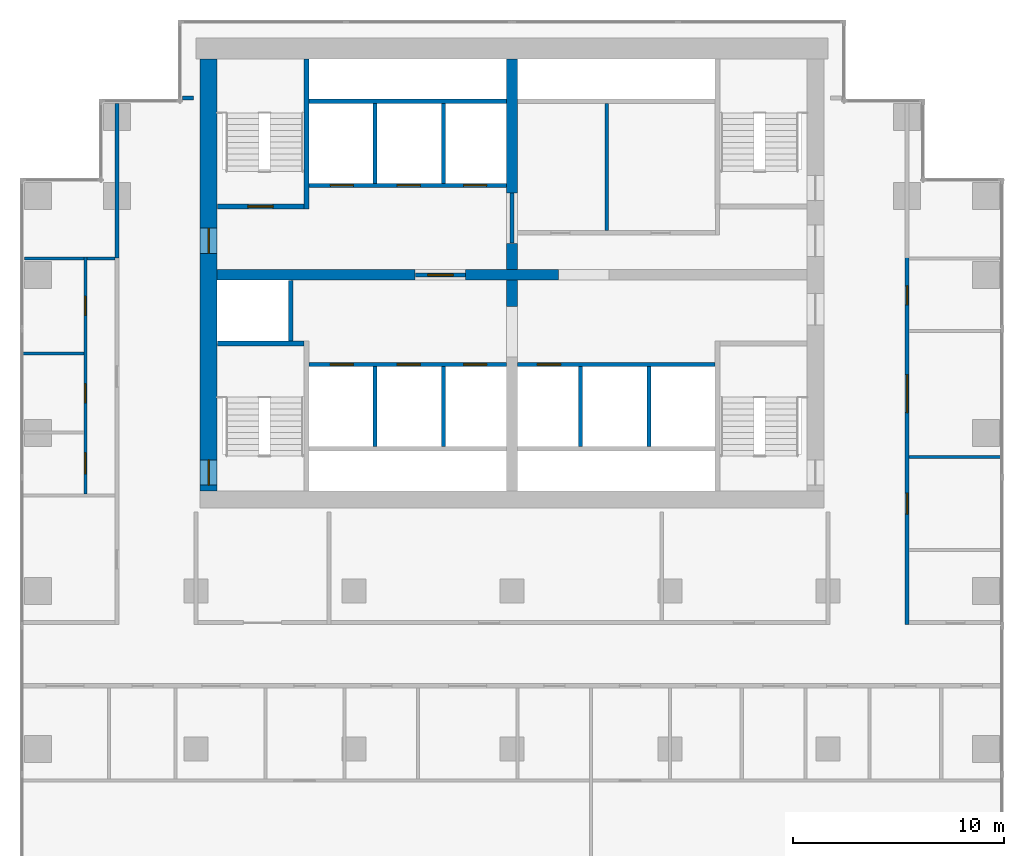
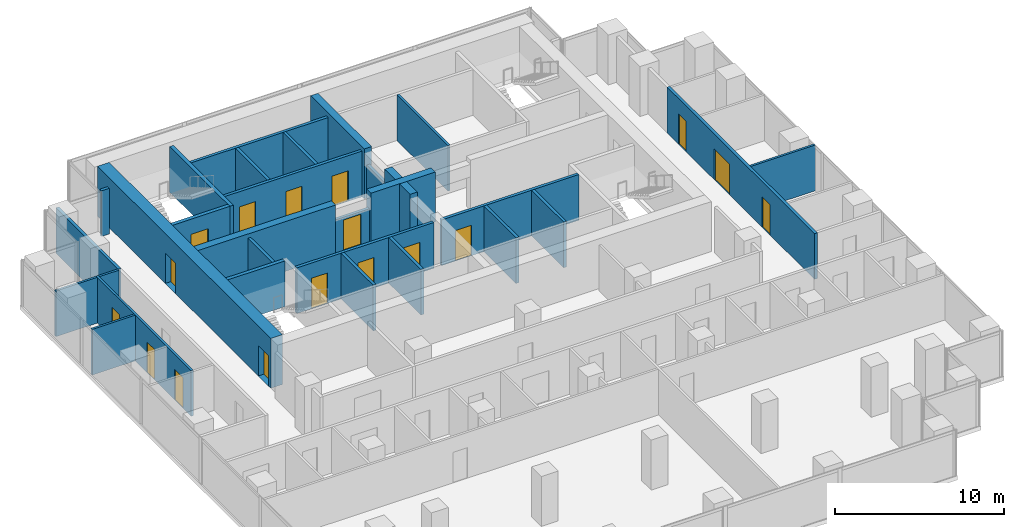
# One storey, part 8 of 10: 31 walls, 17 doors, 17 openings.
"""IFC4 building model written with IfcOpenShell, lengths in metres."""

from ifc_helpers import new_model, si_unit, direction, frame, frame_2d, origin, place, context, subcontext, project, spatial, rectangle, extrude, material, layer, layer_set, type_object, element, fill, save


model = new_model("IFC4")

# Units and contexts
model_context = context("Model", 3, precision=1e-05, world=origin(), true_north=direction((0.0, 1.0)))
body_context = subcontext(model_context, "Body", "Model", "MODEL_VIEW")
ifc_project = project(units=[si_unit("LENGTHUNIT", "METRE"), si_unit("AREAUNIT", "SQUARE_METRE"), si_unit("VOLUMEUNIT", "CUBIC_METRE"), si_unit("PLANEANGLEUNIT", "RADIAN"), si_unit("MASSUNIT", "GRAM", prefix="KILO")], contexts=[model_context])

# Site, building, storey
site_placement = place(None, origin())
site = spatial("IfcSite", under=ifc_project, at=site_placement, CompositionType="ELEMENT")
building_placement = place(site_placement, origin())
building = spatial("IfcBuilding", under=site, at=building_placement, Name="Pilkhan Gate Tower", CompositionType="ELEMENT")
storey_placement = place(building_placement, frame((0.0, 0.0, 107.199951171875)))
storey = spatial("IfcBuildingStorey", under=building, at=storey_placement, Name="L26", CompositionType="ELEMENT", Elevation=107.199951171875)

# Wall, openings, doors
ifc_material_1 = material(Name="Concrete C60/75", Category="concrete")
ifc_layer_1 = layer(ifc_material_1, 0.800048828125)
ifc_layer_set_1 = layer_set([ifc_layer_1], Name="Core wall CW800 C60/75")
wall_type_1 = type_object("IfcWallType", Name="Core wall CW800 C60/75", PredefinedType="SHEAR", material=ifc_layer_set_1)
wall_1_placement = place(storey_placement, frame((60.60009765625, 92.75, 0.0), z_axis=(0.0, 0.0, 1.0), x_axis=(0.0, -1.0, 0.0)))
wall_1 = element("IfcWall", 1, at=wall_1_placement, inside=storey, type_object=wall_type_1, Name="Core wall W L26", PredefinedType="SHEAR", context=body_context, shape_type="SweptSolid", body=[
    extrude(rectangle(XDim=20.5, YDim=0.800048828125, at=frame_2d((10.25, 0.0))), origin(), (0.0, 0.0, 1.0), 3.60009765625),
])
opening_1_placement = place(wall_1_placement, frame((19.02490234375, 0.0, 0.0)))
opening_1 = element("IfcOpeningElement", 2, at=opening_1_placement, cuts=wall_1, Name="Opening L26-04", PredefinedType="OPENING", context=body_context, shape_type="SweptSolid", body=[
    extrude(rectangle(XDim=1.199951171875, YDim=2.199951171875, at=frame_2d((0.60009765625, 1.10009765625))), frame((0.0, 0.409912109375, 0.0), z_axis=(0.0, -1.0, 0.0), x_axis=(1.0, 0.0, 0.0)), (0.0, 0.0, 1.0), 0.820068359375),
])
opening_2_placement = place(wall_1_placement, frame((8.02490234375, 0.0, 0.0)))
opening_2 = element("IfcOpeningElement", 3, at=opening_2_placement, cuts=wall_1, Name="Opening L26-12", PredefinedType="OPENING", context=body_context, shape_type="SweptSolid", body=[
    extrude(rectangle(XDim=1.199951171875, YDim=2.199951171875, at=frame_2d((0.60009765625, 1.10009765625))), frame((0.0, 0.409912109375, 0.0), z_axis=(0.0, -1.0, 0.0), x_axis=(1.0, 0.0, 0.0)), (0.0, 0.0, 1.0), 0.820068359375),
])
ifc_material_2 = material(Name="Steel door, 120 minute fire resisting, self-closing", Category="steel")
door_type_1 = type_object("IfcDoorType", Name="Firefighting lobby door D10 1200x2200", OperationType="SINGLE_SWING_LEFT", PredefinedType="DOOR", material=ifc_material_2)
door_1_placement = place(opening_2_placement, origin())
door_1 = element("IfcDoor", 4, at=door_1_placement, inside=storey, type_object=door_type_1, Name="Core door", OperationType="SINGLE_SWING_LEFT", OverallHeight=2.199951171875, OverallWidth=1.199951171875, PredefinedType="DOOR", context=body_context, shape_type="SweptSolid", body=[
    extrude(rectangle(XDim=1.199951171875, YDim=2.199951171875, at=frame_2d((0.60009765625, 1.10009765625))), frame((0.0, 0.02490234375, 0.0), z_axis=(0.0, -1.0, 0.0), x_axis=(1.0, 0.0, 0.0)), (0.0, 0.0, 1.0), 0.050048828125),
])
fill(opening_2, door_1)
ifc_material_3 = material(Name="Steel door, 120 minute fire resisting, panic bar", Category="steel")
door_type_2 = type_object("IfcDoorType", Name="Stair door D11 1200x2200", OperationType="SINGLE_SWING_LEFT", PredefinedType="DOOR", material=ifc_material_3)
door_2_placement = place(opening_1_placement, origin())
door_2 = element("IfcDoor", 5, at=door_2_placement, inside=storey, type_object=door_type_2, Name="Stair ST2 door", OperationType="SINGLE_SWING_LEFT", OverallHeight=2.199951171875, OverallWidth=1.199951171875, PredefinedType="DOOR", context=body_context, shape_type="SweptSolid", body=[
    extrude(rectangle(XDim=1.199951171875, YDim=2.199951171875, at=frame_2d((0.60009765625, 1.10009765625))), frame((0.0, 0.02490234375, 0.0), z_axis=(0.0, -1.0, 0.0), x_axis=(1.0, 0.0, 0.0)), (0.0, 0.0, 1.0), 0.050048828125),
])
fill(opening_1, door_2)

# Walls
ifc_material_4 = material(Name="Dense blockwork", Category="masonry")
ifc_layer_2 = layer(ifc_material_4, 0.199951171875)
ifc_layer_set_2 = layer_set([ifc_layer_2], Name="Corridor wall FW200")
wall_type_2 = type_object("IfcWallType", Name="Corridor wall FW200", PredefinedType="PARTITIONING", material=ifc_layer_set_2)
wall_2_placement = place(storey_placement, frame((59.35498046875, 90.89990234375, 0.0), z_axis=(0.0, 0.0, 1.0), x_axis=(1.0, 0.0, 0.0)))
element("IfcWall", 6, at=wall_2_placement, inside=storey, type_object=wall_type_2, Name="Partition L26", PredefinedType="PARTITIONING", context=body_context, shape_type="SweptSolid", body=[
    extrude(rectangle(XDim=0.52490234375, YDim=0.199951171875, at=frame_2d((0.262451171875, 0.0))), origin(), (0.0, 0.0, 1.0), 3.300048828125),
])
wall_3_placement = place(storey_placement, frame((56.25, 83.31005859375, 0.0), z_axis=(0.0, 0.0, 1.0), x_axis=(0.0, 1.0, 0.0)))
element("IfcWall", 7, at=wall_3_placement, inside=storey, type_object=wall_type_2, Name="Partition L26", PredefinedType="PARTITIONING", context=body_context, shape_type="SweptSolid", body=[
    extrude(rectangle(XDim=7.3349609375, YDim=0.199951171875, at=frame_2d((3.66748046875, 0.0))), origin(), (0.0, 0.0, 1.0), 3.300048828125),
])

# Wall, openings, doors
wall_4_placement = place(storey_placement, frame((93.75, 65.89990234375, 0.0), z_axis=(0.0, 0.0, 1.0), x_axis=(0.0, 1.0, 0.0)))
wall_4 = element("IfcWall", 8, at=wall_4_placement, inside=storey, type_object=wall_type_2, Name="Partition L26", PredefinedType="PARTITIONING", context=body_context, shape_type="SweptSolid", body=[
    extrude(rectangle(XDim=17.455078125, YDim=0.199951171875, at=frame_2d((8.7275390625, 0.0))), origin(), (0.0, 0.0, 1.0), 3.300048828125),
])
opening_3_placement = place(wall_4_placement, frame((5.2470703125, 0.0, 0.0)))
opening_3 = element("IfcOpeningElement", 9, at=opening_3_placement, cuts=wall_4, Name="Opening L26-32", PredefinedType="OPENING", context=body_context, shape_type="SweptSolid", body=[
    extrude(rectangle(XDim=1.0, YDim=2.199951171875, at=frame_2d((0.5, 1.10009765625))), frame((0.0, 0.10986328125, 0.0), z_axis=(0.0, -1.0, 0.0), x_axis=(1.0, 0.0, 0.0)), (0.0, 0.0, 1.0), 0.219970703125),
])
opening_4_placement = place(wall_4_placement, frame((10.06689453125, 0.0, 0.0)))
opening_4 = element("IfcOpeningElement", 10, at=opening_4_placement, cuts=wall_4, Name="Opening L26-33", PredefinedType="OPENING", context=body_context, shape_type="SweptSolid", body=[
    extrude(rectangle(XDim=1.800048828125, YDim=2.199951171875, at=frame_2d((0.89990234375, 1.10009765625))), frame((0.0, 0.10986328125, 0.0), z_axis=(0.0, -1.0, 0.0), x_axis=(1.0, 0.0, 0.0)), (0.0, 0.0, 1.0), 0.219970703125),
])
opening_5_placement = place(wall_4_placement, frame((15.18310546875, 0.0, 0.0)))
opening_5 = element("IfcOpeningElement", 11, at=opening_5_placement, cuts=wall_4, Name="Opening L26-34", PredefinedType="OPENING", context=body_context, shape_type="SweptSolid", body=[
    extrude(rectangle(XDim=0.89990234375, YDim=2.199951171875, at=frame_2d((0.449951171875, 1.10009765625))), frame((0.0, 0.10986328125, 0.0), z_axis=(0.0, -1.0, 0.0), x_axis=(1.0, 0.0, 0.0)), (0.0, 0.0, 1.0), 0.219970703125),
])
ifc_material_5 = material(Name="Timber glazed double door, 30 minute fire resisting", Category="wood")
door_type_3 = type_object("IfcDoorType", Name="Double door D04 1800x2200", OperationType="DOUBLE_DOOR_SINGLE_SWING", PredefinedType="DOOR", material=ifc_material_5)
door_3_placement = place(opening_4_placement, origin())
door_3 = element("IfcDoor", 12, at=door_3_placement, inside=storey, type_object=door_type_3, Name="Double door", OperationType="DOUBLE_DOOR_SINGLE_SWING", OverallHeight=2.199951171875, OverallWidth=1.800048828125, PredefinedType="DOOR", context=body_context, shape_type="SweptSolid", body=[
    extrude(rectangle(XDim=1.800048828125, YDim=2.199951171875, at=frame_2d((0.89990234375, 1.10009765625))), frame((0.0, 0.02490234375, 0.0), z_axis=(0.0, -1.0, 0.0), x_axis=(1.0, 0.0, 0.0)), (0.0, 0.0, 1.0), 0.050048828125),
])
fill(opening_4, door_3)
ifc_material_6 = material(Name="Timber flush door, 30 minute fire resisting", Category="wood")
door_type_4 = type_object("IfcDoorType", Name="Room door D03 1000x2200", OperationType="SINGLE_SWING_LEFT", PredefinedType="DOOR", material=ifc_material_6)
door_4_placement = place(opening_3_placement, origin())
door_4 = element("IfcDoor", 13, at=door_4_placement, inside=storey, type_object=door_type_4, Name="Room door", OperationType="SINGLE_SWING_LEFT", OverallHeight=2.199951171875, OverallWidth=1.0, PredefinedType="DOOR", context=body_context, shape_type="SweptSolid", body=[
    extrude(rectangle(XDim=1.0, YDim=2.199951171875, at=frame_2d((0.5, 1.10009765625))), frame((0.0, 0.02490234375, 0.0), z_axis=(0.0, -1.0, 0.0), x_axis=(1.0, 0.0, 0.0)), (0.0, 0.0, 1.0), 0.050048828125),
])
fill(opening_3, door_4)
ifc_material_7 = material(Name="Timber flush door, 60 minute fire resisting, self-closing", Category="wood")
door_type_5 = type_object("IfcDoorType", Name="Store door D05 900x2200", OperationType="SINGLE_SWING_LEFT", PredefinedType="DOOR", material=ifc_material_7)
door_5_placement = place(opening_5_placement, origin())
door_5 = element("IfcDoor", 14, at=door_5_placement, inside=storey, type_object=door_type_5, Name="Store door", OperationType="SINGLE_SWING_LEFT", OverallHeight=2.199951171875, OverallWidth=0.89990234375, PredefinedType="DOOR", context=body_context, shape_type="SweptSolid", body=[
    extrude(rectangle(XDim=0.89990234375, YDim=2.199951171875, at=frame_2d((0.449951171875, 1.10009765625))), frame((0.0, 0.02490234375, 0.0), z_axis=(0.0, -1.0, 0.0), x_axis=(1.0, 0.0, 0.0)), (0.0, 0.0, 1.0), 0.050048828125),
])
fill(opening_5, door_5)

# Wall, opening, door
ifc_layer_3 = layer(ifc_material_4, 0.199951171875)
ifc_layer_set_3 = layer_set([ifc_layer_3], Name="Lobby wall LW200")
wall_type_3 = type_object("IfcWallType", Name="Lobby wall LW200", PredefinedType="PARTITIONING", material=ifc_layer_set_3)
wall_5_placement = place(storey_placement, frame((70.409912109375, 82.5, 0.0), z_axis=(0.0, 0.0, 1.0), x_axis=(1.0, 0.0, 0.0)))
wall_5 = element("IfcWall", 15, at=wall_5_placement, inside=storey, type_object=wall_type_3, Name="Partition L26", PredefinedType="PARTITIONING", context=body_context, shape_type="SweptSolid", body=[
    extrude(rectangle(XDim=2.380126953125, YDim=0.199951171875, at=frame_2d((1.18994140625, 0.0))), origin(), (0.0, 0.0, 1.0), 2.400146484375),
])
opening_6_placement = place(wall_5_placement, frame((0.60009765625, 0.0, 0.0)))
opening_6 = element("IfcOpeningElement", 16, at=opening_6_placement, cuts=wall_5, Name="Opening L26-01", PredefinedType="OPENING", context=body_context, shape_type="SweptSolid", body=[
    extrude(rectangle(XDim=1.199951171875, YDim=2.199951171875, at=frame_2d((0.60009765625, 1.10009765625))), frame((0.0, 0.10986328125, 0.0), z_axis=(0.0, -1.0, 0.0), x_axis=(1.0, 0.0, 0.0)), (0.0, 0.0, 1.0), 0.219970703125),
])
door_6_placement = place(opening_6_placement, origin())
door_6 = element("IfcDoor", 17, at=door_6_placement, inside=storey, type_object=door_type_1, Name="Firefighting lobby door", OperationType="SINGLE_SWING_LEFT", OverallHeight=2.199951171875, OverallWidth=1.199951171875, PredefinedType="DOOR", context=body_context, shape_type="SweptSolid", body=[
    extrude(rectangle(XDim=1.199951171875, YDim=2.199951171875, at=frame_2d((0.60009765625, 1.10009765625))), frame((0.0, 0.02490234375, 0.0), z_axis=(0.0, -1.0, 0.0), x_axis=(1.0, 0.0, 0.0)), (0.0, 0.0, 1.0), 0.050048828125),
])
fill(opening_6, door_6)

# Walls
wall_6_placement = place(storey_placement, frame((75.0, 84.010009765625, 0.0), z_axis=(0.0, 0.0, 1.0), x_axis=(0.0, 1.0, 0.0)))
element("IfcWall", 18, at=wall_6_placement, inside=storey, type_object=wall_type_3, Name="Partition L26", PredefinedType="PARTITIONING", context=body_context, shape_type="SweptSolid", body=[
    extrude(rectangle(XDim=2.3798828125, YDim=0.199951171875, at=frame_2d((1.18994140625, 0.0))), origin(), (0.0, 0.0, 1.0), 2.400146484375),
])
ifc_material_8 = material(Name="Blockwork partition, plastered both sides", Category="masonry")
ifc_layer_4 = layer(ifc_material_8, 0.14990234375)
ifc_layer_set_4 = layer_set([ifc_layer_4], Name="Partition PW150")
wall_type_4 = type_object("IfcWallType", Name="Partition PW150", PredefinedType="PARTITIONING", material=ifc_layer_set_4)
wall_7_placement = place(storey_placement, frame((93.85009765625, 73.866943359375, 0.0), z_axis=(0.0, 0.0, 1.0), x_axis=(1.0, 0.0, 0.0)))
element("IfcWall", 19, at=wall_7_placement, inside=storey, type_object=wall_type_4, Name="Partition L26", PredefinedType="PARTITIONING", context=body_context, shape_type="SweptSolid", body=[
    extrude(rectangle(XDim=4.414794921875, YDim=0.14990234375, at=frame_2d((2.20751953125, 0.0))), origin(), (0.0, 0.0, 1.0), 3.300048828125),
])
wall_8_placement = place(storey_placement, frame((51.735107421875, 78.780029296875, 0.0), z_axis=(0.0, 0.0, 1.0), x_axis=(1.0, 0.0, 0.0)))
element("IfcWall", 20, at=wall_8_placement, inside=storey, type_object=wall_type_4, Name="Partition L26", PredefinedType="PARTITIONING", context=body_context, shape_type="SweptSolid", body=[
    extrude(rectangle(XDim=2.93994140625, YDim=0.14990234375, at=frame_2d((1.469970703125, 0.0))), origin(), (0.0, 0.0, 1.0), 3.300048828125),
])
wall_9_placement = place(storey_placement, frame((51.85498046875, 83.280029296875, 0.0), z_axis=(0.0, 0.0, 1.0), x_axis=(1.0, 0.0, 0.0)))
element("IfcWall", 21, at=wall_9_placement, inside=storey, type_object=wall_type_4, Name="Partition L26", PredefinedType="PARTITIONING", context=body_context, shape_type="SweptSolid", body=[
    extrude(rectangle(XDim=2.820068359375, YDim=0.14990234375, at=frame_2d((1.41015625, 0.0))), origin(), (0.0, 0.0, 1.0), 3.300048828125),
])
wall_10_placement = place(storey_placement, frame((54.824951171875, 83.280029296875, 0.0), z_axis=(0.0, 0.0, 1.0), x_axis=(1.0, 0.0, 0.0)))
element("IfcWall", 22, at=wall_10_placement, inside=storey, type_object=wall_type_4, Name="Partition L26", PredefinedType="PARTITIONING", context=body_context, shape_type="SweptSolid", body=[
    extrude(rectangle(XDim=1.324951171875, YDim=0.14990234375, at=frame_2d((0.66259765625, 0.0))), origin(), (0.0, 0.0, 1.0), 3.300048828125),
])

# Wall, openings, doors
wall_11_placement = place(storey_placement, frame((54.75, 72.10498046875, 0.0), z_axis=(0.0, 0.0, 1.0), x_axis=(0.0, 1.0, 0.0)))
wall_11 = element("IfcWall", 23, at=wall_11_placement, inside=storey, type_object=wall_type_4, Name="Partition L26", PredefinedType="PARTITIONING", context=body_context, shape_type="SweptSolid", body=[
    extrude(rectangle(XDim=11.25, YDim=0.14990234375, at=frame_2d((5.625, 0.0))), origin(), (0.0, 0.0, 1.0), 3.300048828125),
])
opening_7_placement = place(wall_11_placement, frame((0.949951171875, 0.0, 0.0)))
opening_7 = element("IfcOpeningElement", 24, at=opening_7_placement, cuts=wall_11, Name="Opening L26-27", PredefinedType="OPENING", context=body_context, shape_type="SweptSolid", body=[
    extrude(rectangle(XDim=1.0, YDim=2.199951171875, at=frame_2d((0.5, 1.10009765625))), frame((0.0, 0.0849609375, 0.0), z_axis=(0.0, -1.0, 0.0), x_axis=(1.0, 0.0, 0.0)), (0.0, 0.0, 1.0), 0.169921875),
])
opening_8_placement = place(wall_11_placement, frame((4.324951171875, 0.0, 0.0)))
opening_8 = element("IfcOpeningElement", 25, at=opening_8_placement, cuts=wall_11, Name="Opening L26-28", PredefinedType="OPENING", context=body_context, shape_type="SweptSolid", body=[
    extrude(rectangle(XDim=0.89990234375, YDim=2.199951171875, at=frame_2d((0.449951171875, 1.10009765625))), frame((0.0, 0.0849609375, 0.0), z_axis=(0.0, -1.0, 0.0), x_axis=(1.0, 0.0, 0.0)), (0.0, 0.0, 1.0), 0.169921875),
])
opening_9_placement = place(wall_11_placement, frame((8.47509765625, 0.0, 0.0)))
opening_9 = element("IfcOpeningElement", 26, at=opening_9_placement, cuts=wall_11, Name="Opening L26-29", PredefinedType="OPENING", context=body_context, shape_type="SweptSolid", body=[
    extrude(rectangle(XDim=0.89990234375, YDim=2.199951171875, at=frame_2d((0.449951171875, 1.10009765625))), frame((0.0, 0.0849609375, 0.0), z_axis=(0.0, -1.0, 0.0), x_axis=(1.0, 0.0, 0.0)), (0.0, 0.0, 1.0), 0.169921875),
])
ifc_material_9 = material(Name="Timber flush door, outward opening, 30 minute fire resisting", Category="wood")
door_type_6 = type_object("IfcDoorType", Name="Accessible toilet door D07 1000x2200", OperationType="SINGLE_SWING_LEFT", PredefinedType="DOOR", material=ifc_material_9)
door_7_placement = place(opening_7_placement, origin())
door_7 = element("IfcDoor", 27, at=door_7_placement, inside=storey, type_object=door_type_6, Name="Accessible toilet door", OperationType="SINGLE_SWING_LEFT", OverallHeight=2.199951171875, OverallWidth=1.0, PredefinedType="DOOR", context=body_context, shape_type="SweptSolid", body=[
    extrude(rectangle(XDim=1.0, YDim=2.199951171875, at=frame_2d((0.5, 1.10009765625))), frame((0.0, 0.02490234375, 0.0), z_axis=(0.0, -1.0, 0.0), x_axis=(1.0, 0.0, 0.0)), (0.0, 0.0, 1.0), 0.050048828125),
])
fill(opening_7, door_7)
door_type_7 = type_object("IfcDoorType", Name="Toilet door D06 900x2200", OperationType="SINGLE_SWING_LEFT", PredefinedType="DOOR", material=ifc_material_6)
door_8_placement = place(opening_8_placement, origin())
door_8 = element("IfcDoor", 28, at=door_8_placement, inside=storey, type_object=door_type_7, Name="Toilet door", OperationType="SINGLE_SWING_RIGHT", OverallHeight=2.199951171875, OverallWidth=0.89990234375, PredefinedType="DOOR", context=body_context, shape_type="SweptSolid", body=[
    extrude(rectangle(XDim=0.89990234375, YDim=2.199951171875, at=frame_2d((0.449951171875, 1.10009765625))), frame((0.0, 0.02490234375, 0.0), z_axis=(0.0, -1.0, 0.0), x_axis=(1.0, 0.0, 0.0)), (0.0, 0.0, 1.0), 0.050048828125),
])
fill(opening_8, door_8)
door_9_placement = place(opening_9_placement, origin())
door_9 = element("IfcDoor", 29, at=door_9_placement, inside=storey, type_object=door_type_7, Name="Toilet door", OperationType="SINGLE_SWING_RIGHT", OverallHeight=2.199951171875, OverallWidth=0.89990234375, PredefinedType="DOOR", context=body_context, shape_type="SweptSolid", body=[
    extrude(rectangle(XDim=0.89990234375, YDim=2.199951171875, at=frame_2d((0.449951171875, 1.10009765625))), frame((0.0, 0.02490234375, 0.0), z_axis=(0.0, -1.0, 0.0), x_axis=(1.0, 0.0, 0.0)), (0.0, 0.0, 1.0), 0.050048828125),
])
fill(opening_9, door_9)

# Wall
wall_12_placement = place(storey_placement, frame((79.5, 84.60009765625, 0.0), z_axis=(0.0, 0.0, 1.0), x_axis=(0.0, 1.0, 0.0)))
element("IfcWall", 30, at=wall_12_placement, inside=storey, type_object=wall_type_4, Name="Partition L26", PredefinedType="PARTITIONING", context=body_context, shape_type="SweptSolid", body=[
    extrude(rectangle(XDim=6.0498046875, YDim=0.14990234375, at=frame_2d((3.02490234375, 0.0))), origin(), (0.0, 0.0, 1.0), 3.300048828125),
])

# Wall, openings, doors
ifc_material_10 = material(Name="Reinforced blockwork shaft wall, 120 minute fire resisting", Category="masonry")
ifc_layer_5 = layer(ifc_material_10, 0.199951171875)
ifc_layer_set_5 = layer_set([ifc_layer_5], Name="Shaft wall SW200")
wall_type_5 = type_object("IfcWallType", Name="Shaft wall SW200", PredefinedType="PARTITIONING", material=ifc_layer_set_5)
wall_13_placement = place(storey_placement, frame((65.375, 78.25, 0.0), z_axis=(0.0, 0.0, 1.0), x_axis=(1.0, 0.0, 0.0)))
wall_13 = element("IfcWall", 31, at=wall_13_placement, inside=storey, type_object=wall_type_5, Name="Partition L26", PredefinedType="PARTITIONING", context=body_context, shape_type="SweptSolid", body=[
    extrude(rectangle(XDim=9.364990234375, YDim=0.199951171875, at=frame_2d((4.6826171875, 0.0))), origin(), (0.0, 0.0, 1.0), 3.300048828125),
])
opening_10_placement = place(wall_13_placement, frame((1.0, 0.0, 0.0)))
opening_10 = element("IfcOpeningElement", 32, at=opening_10_placement, cuts=wall_13, Name="Opening LD", PredefinedType="OPENING", context=body_context, shape_type="SweptSolid", body=[
    extrude(rectangle(XDim=1.10009765625, YDim=2.199951171875, at=frame_2d((0.550048828125, 1.10009765625))), frame((0.0, 0.10986328125, 0.0), z_axis=(0.0, -1.0, 0.0), x_axis=(1.0, 0.0, 0.0)), (0.0, 0.0, 1.0), 0.219970703125),
])
opening_11_placement = place(wall_13_placement, frame((4.175048828125, 0.0, 0.0)))
opening_11 = element("IfcOpeningElement", 33, at=opening_11_placement, cuts=wall_13, Name="Opening LD", PredefinedType="OPENING", context=body_context, shape_type="SweptSolid", body=[
    extrude(rectangle(XDim=1.10009765625, YDim=2.199951171875, at=frame_2d((0.550048828125, 1.10009765625))), frame((0.0, 0.10986328125, 0.0), z_axis=(0.0, -1.0, 0.0), x_axis=(1.0, 0.0, 0.0)), (0.0, 0.0, 1.0), 0.219970703125),
])
opening_12_placement = place(wall_13_placement, frame((7.324951171875, 0.0, 0.0)))
opening_12 = element("IfcOpeningElement", 34, at=opening_12_placement, cuts=wall_13, Name="Opening LD", PredefinedType="OPENING", context=body_context, shape_type="SweptSolid", body=[
    extrude(rectangle(XDim=1.10009765625, YDim=2.199951171875, at=frame_2d((0.550048828125, 1.10009765625))), frame((0.0, 0.10986328125, 0.0), z_axis=(0.0, -1.0, 0.0), x_axis=(1.0, 0.0, 0.0)), (0.0, 0.0, 1.0), 0.219970703125),
])
ifc_material_11 = material(Name="Stainless steel centre-opening landing door, 120 minute fire resisting", Category="steel")
door_type_8 = type_object("IfcDoorType", Name="Lift landing door LD 1100x2200", OperationType="DOUBLE_DOOR_SLIDING", PredefinedType="DOOR", material=ifc_material_11)
door_10_placement = place(opening_10_placement, origin())
door_10 = element("IfcDoor", 35, at=door_10_placement, inside=storey, type_object=door_type_8, Name="Landing door LR1", OperationType="DOUBLE_DOOR_SLIDING", OverallHeight=2.199951171875, OverallWidth=1.10009765625, PredefinedType="DOOR", context=body_context, shape_type="SweptSolid", body=[
    extrude(rectangle(XDim=1.10009765625, YDim=2.199951171875, at=frame_2d((0.550048828125, 1.10009765625))), frame((0.0, 0.02490234375, 0.0), z_axis=(0.0, -1.0, 0.0), x_axis=(1.0, 0.0, 0.0)), (0.0, 0.0, 1.0), 0.050048828125),
])
fill(opening_10, door_10)
door_11_placement = place(opening_11_placement, origin())
door_11 = element("IfcDoor", 36, at=door_11_placement, inside=storey, type_object=door_type_8, Name="Landing door LR2", OperationType="DOUBLE_DOOR_SLIDING", OverallHeight=2.199951171875, OverallWidth=1.10009765625, PredefinedType="DOOR", context=body_context, shape_type="SweptSolid", body=[
    extrude(rectangle(XDim=1.10009765625, YDim=2.199951171875, at=frame_2d((0.550048828125, 1.10009765625))), frame((0.0, 0.02490234375, 0.0), z_axis=(0.0, -1.0, 0.0), x_axis=(1.0, 0.0, 0.0)), (0.0, 0.0, 1.0), 0.050048828125),
])
fill(opening_11, door_11)
door_12_placement = place(opening_12_placement, origin())
door_12 = element("IfcDoor", 37, at=door_12_placement, inside=storey, type_object=door_type_8, Name="Landing door LR3", OperationType="DOUBLE_DOOR_SLIDING", OverallHeight=2.199951171875, OverallWidth=1.10009765625, PredefinedType="DOOR", context=body_context, shape_type="SweptSolid", body=[
    extrude(rectangle(XDim=1.10009765625, YDim=2.199951171875, at=frame_2d((0.550048828125, 1.10009765625))), frame((0.0, 0.02490234375, 0.0), z_axis=(0.0, -1.0, 0.0), x_axis=(1.0, 0.0, 0.0)), (0.0, 0.0, 1.0), 0.050048828125),
])
fill(opening_12, door_12)

# Wall, opening, door
wall_14_placement = place(storey_placement, frame((75.260009765625, 78.25, 0.0), z_axis=(0.0, 0.0, 1.0), x_axis=(1.0, 0.0, 0.0)))
wall_14 = element("IfcWall", 38, at=wall_14_placement, inside=storey, type_object=wall_type_5, Name="Partition L26", PredefinedType="PARTITIONING", context=body_context, shape_type="SweptSolid", body=[
    extrude(rectangle(XDim=9.364990234375, YDim=0.199951171875, at=frame_2d((4.6826171875, 0.0))), origin(), (0.0, 0.0, 1.0), 3.300048828125),
])
opening_13_placement = place(wall_14_placement, frame((0.949951171875, 0.0, 0.0)))
opening_13 = element("IfcOpeningElement", 39, at=opening_13_placement, cuts=wall_14, Name="Opening LD", PredefinedType="OPENING", context=body_context, shape_type="SweptSolid", body=[
    extrude(rectangle(XDim=1.10009765625, YDim=2.199951171875, at=frame_2d((0.550048828125, 1.10009765625))), frame((0.0, 0.10986328125, 0.0), z_axis=(0.0, -1.0, 0.0), x_axis=(1.0, 0.0, 0.0)), (0.0, 0.0, 1.0), 0.219970703125),
])
door_13_placement = place(opening_13_placement, origin())
door_13 = element("IfcDoor", 40, at=door_13_placement, inside=storey, type_object=door_type_8, Name="Landing door LR4", OperationType="DOUBLE_DOOR_SLIDING", OverallHeight=2.199951171875, OverallWidth=1.10009765625, PredefinedType="DOOR", context=body_context, shape_type="SweptSolid", body=[
    extrude(rectangle(XDim=1.10009765625, YDim=2.199951171875, at=frame_2d((0.550048828125, 1.10009765625))), frame((0.0, 0.02490234375, 0.0), z_axis=(0.0, -1.0, 0.0), x_axis=(1.0, 0.0, 0.0)), (0.0, 0.0, 1.0), 0.050048828125),
])
fill(opening_13, door_13)

# Wall, openings, doors
wall_15_placement = place(storey_placement, frame((65.375, 86.75, 0.0), z_axis=(0.0, 0.0, 1.0), x_axis=(1.0, 0.0, 0.0)))
wall_15 = element("IfcWall", 41, at=wall_15_placement, inside=storey, type_object=wall_type_5, Name="Partition L26", PredefinedType="PARTITIONING", context=body_context, shape_type="SweptSolid", body=[
    extrude(rectangle(XDim=9.364990234375, YDim=0.199951171875, at=frame_2d((4.6826171875, 0.0))), origin(), (0.0, 0.0, 1.0), 3.300048828125),
])
opening_14_placement = place(wall_15_placement, frame((1.0, 0.0, 0.0)))
opening_14 = element("IfcOpeningElement", 42, at=opening_14_placement, cuts=wall_15, Name="Opening LD", PredefinedType="OPENING", context=body_context, shape_type="SweptSolid", body=[
    extrude(rectangle(XDim=1.10009765625, YDim=2.199951171875, at=frame_2d((0.550048828125, 1.10009765625))), frame((0.0, 0.10986328125, 0.0), z_axis=(0.0, -1.0, 0.0), x_axis=(1.0, 0.0, 0.0)), (0.0, 0.0, 1.0), 0.219970703125),
])
opening_15_placement = place(wall_15_placement, frame((4.175048828125, 0.0, 0.0)))
opening_15 = element("IfcOpeningElement", 43, at=opening_15_placement, cuts=wall_15, Name="Opening LD", PredefinedType="OPENING", context=body_context, shape_type="SweptSolid", body=[
    extrude(rectangle(XDim=1.10009765625, YDim=2.199951171875, at=frame_2d((0.550048828125, 1.10009765625))), frame((0.0, 0.10986328125, 0.0), z_axis=(0.0, -1.0, 0.0), x_axis=(1.0, 0.0, 0.0)), (0.0, 0.0, 1.0), 0.219970703125),
])
opening_16_placement = place(wall_15_placement, frame((7.324951171875, 0.0, 0.0)))
opening_16 = element("IfcOpeningElement", 44, at=opening_16_placement, cuts=wall_15, Name="Opening LD", PredefinedType="OPENING", context=body_context, shape_type="SweptSolid", body=[
    extrude(rectangle(XDim=1.10009765625, YDim=2.199951171875, at=frame_2d((0.550048828125, 1.10009765625))), frame((0.0, 0.10986328125, 0.0), z_axis=(0.0, -1.0, 0.0), x_axis=(1.0, 0.0, 0.0)), (0.0, 0.0, 1.0), 0.219970703125),
])
door_14_placement = place(opening_14_placement, origin())
door_14 = element("IfcDoor", 45, at=door_14_placement, inside=storey, type_object=door_type_8, Name="Landing door FF1", OperationType="DOUBLE_DOOR_SLIDING", OverallHeight=2.199951171875, OverallWidth=1.10009765625, PredefinedType="DOOR", context=body_context, shape_type="SweptSolid", body=[
    extrude(rectangle(XDim=1.10009765625, YDim=2.199951171875, at=frame_2d((0.550048828125, 1.10009765625))), frame((0.0, 0.02490234375, 0.0), z_axis=(0.0, -1.0, 0.0), x_axis=(1.0, 0.0, 0.0)), (0.0, 0.0, 1.0), 0.050048828125),
])
fill(opening_14, door_14)
door_15_placement = place(opening_15_placement, origin())
door_15 = element("IfcDoor", 46, at=door_15_placement, inside=storey, type_object=door_type_8, Name="Landing door FF2", OperationType="DOUBLE_DOOR_SLIDING", OverallHeight=2.199951171875, OverallWidth=1.10009765625, PredefinedType="DOOR", context=body_context, shape_type="SweptSolid", body=[
    extrude(rectangle(XDim=1.10009765625, YDim=2.199951171875, at=frame_2d((0.550048828125, 1.10009765625))), frame((0.0, 0.02490234375, 0.0), z_axis=(0.0, -1.0, 0.0), x_axis=(1.0, 0.0, 0.0)), (0.0, 0.0, 1.0), 0.050048828125),
])
fill(opening_15, door_15)
door_16_placement = place(opening_16_placement, origin())
door_16 = element("IfcDoor", 47, at=door_16_placement, inside=storey, type_object=door_type_8, Name="Landing door SV1", OperationType="DOUBLE_DOOR_SLIDING", OverallHeight=2.199951171875, OverallWidth=1.10009765625, PredefinedType="DOOR", context=body_context, shape_type="SweptSolid", body=[
    extrude(rectangle(XDim=1.10009765625, YDim=2.199951171875, at=frame_2d((0.550048828125, 1.10009765625))), frame((0.0, 0.02490234375, 0.0), z_axis=(0.0, -1.0, 0.0), x_axis=(1.0, 0.0, 0.0)), (0.0, 0.0, 1.0), 0.050048828125),
])
fill(opening_16, door_16)

# Walls
wall_16_placement = place(storey_placement, frame((65.375, 90.75, 0.0), z_axis=(0.0, 0.0, 1.0), x_axis=(1.0, 0.0, 0.0)))
element("IfcWall", 48, at=wall_16_placement, inside=storey, type_object=wall_type_5, Name="Partition L26", PredefinedType="PARTITIONING", context=body_context, shape_type="SweptSolid", body=[
    extrude(rectangle(XDim=9.364990234375, YDim=0.199951171875, at=frame_2d((4.6826171875, 0.0))), origin(), (0.0, 0.0, 1.0), 3.300048828125),
])
wall_17_placement = place(storey_placement, frame((64.5, 79.375, 0.0), z_axis=(0.0, 0.0, 1.0), x_axis=(0.0, 1.0, 0.0)))
element("IfcWall", 49, at=wall_17_placement, inside=storey, type_object=wall_type_5, Name="Partition L26", PredefinedType="PARTITIONING", context=body_context, shape_type="SweptSolid", body=[
    extrude(rectangle(XDim=2.864990234375, YDim=0.199951171875, at=frame_2d((1.4326171875, 0.0))), origin(), (0.0, 0.0, 1.0), 3.300048828125),
])
for number, where, z_axis, x_axis, name in (
    (50, (68.5, 74.35009765625, 0.0), (0.0, 0.0, 1.0), (0.0, 1.0, 0.0), "Partition L26"),
    (51, (68.5, 86.85009765625, 0.0), (0.0, 0.0, 1.0), (0.0, 1.0, 0.0), "Partition L26"),
    (52, (71.75, 74.35009765625, 0.0), (0.0, 0.0, 1.0), (0.0, 1.0, 0.0), "Partition L26"),
    (53, (71.75, 86.85009765625, 0.0), (0.0, 0.0, 1.0), (0.0, 1.0, 0.0), "Partition L26"),
    (54, (78.25, 74.35009765625, 0.0), (0.0, 0.0, 1.0), (0.0, 1.0, 0.0), "Partition L26"),
    (55, (81.5, 74.35009765625, 0.0), (0.0, 0.0, 1.0), (0.0, 1.0, 0.0), "Partition L26"),
):
    element("IfcWall", number, at=place(storey_placement, frame(where, z_axis=z_axis, x_axis=x_axis)), inside=storey, type_object=wall_type_5, Name=name, PredefinedType="PARTITIONING", context=body_context, shape_type="SweptSolid", body=[
        extrude(rectangle(XDim=3.7998046875, YDim=0.199951171875, at=frame_2d((1.89990234375, 0.0))), origin(), (0.0, 0.0, 1.0), 3.300048828125),
    ])
ifc_layer_6 = layer(ifc_material_1, 0.5)
ifc_layer_set_6 = layer_set([ifc_layer_6], Name="Spine wall SW500 C60/75")
wall_type_6 = type_object("IfcWallType", Name="Spine wall SW500 C60/75", PredefinedType="SHEAR", material=ifc_layer_set_6)
wall_18_placement = place(storey_placement, frame((61.0, 82.5, 0.0), z_axis=(0.0, 0.0, 1.0), x_axis=(1.0, 0.0, 0.0)))
element("IfcWall", 56, at=wall_18_placement, inside=storey, type_object=wall_type_6, Name="Spine wall SP-EW1 L26", PredefinedType="SHEAR", context=body_context, shape_type="SweptSolid", body=[
    extrude(rectangle(XDim=9.39990234375, YDim=0.5, at=frame_2d((4.699951171875, 0.0))), origin(), (0.0, 0.0, 1.0), 3.60009765625),
])
wall_19_placement = place(storey_placement, frame((72.800048828125, 82.5, 0.0), z_axis=(0.0, 0.0, 1.0), x_axis=(1.0, 0.0, 0.0)))
element("IfcWall", 57, at=wall_19_placement, inside=storey, type_object=wall_type_6, Name="Spine wall SP-EW2 L26", PredefinedType="SHEAR", context=body_context, shape_type="SweptSolid", body=[
    extrude(rectangle(XDim=4.39990234375, YDim=0.5, at=frame_2d((2.199951171875, 0.0))), origin(), (0.0, 0.0, 1.0), 3.60009765625),
])
for number, where, z_axis, x_axis, name in (
    (58, (75.0, 81.0, 0.0), (0.0, 0.0, 1.0), (0.0, 1.0, 0.0), "Spine wall SP-NS-S2 L26"),
    (59, (75.0, 82.75, 0.0), (0.0, 0.0, 1.0), (0.0, 1.0, 0.0), "Spine wall SP-NS-N1 L26"),
):
    element("IfcWall", number, at=place(storey_placement, frame(where, z_axis=z_axis, x_axis=x_axis)), inside=storey, type_object=wall_type_6, Name=name, PredefinedType="SHEAR", context=body_context, shape_type="SweptSolid", body=[
        extrude(rectangle(XDim=1.25, YDim=0.5, at=frame_2d((0.625, 0.0))), origin(), (0.0, 0.0, 1.0), 3.60009765625),
    ])
wall_20_placement = place(storey_placement, frame((75.0, 86.39990234375, 0.0), z_axis=(0.0, 0.0, 1.0), x_axis=(0.0, 1.0, 0.0)))
element("IfcWall", 60, at=wall_20_placement, inside=storey, type_object=wall_type_6, Name="Spine wall SP-NS-N2 L26", PredefinedType="SHEAR", context=body_context, shape_type="SweptSolid", body=[
    extrude(rectangle(XDim=6.35009765625, YDim=0.5, at=frame_2d((3.175048828125, 0.0))), origin(), (0.0, 0.0, 1.0), 3.60009765625),
])
ifc_material_12 = material(Name="Reinforced blockwork, 120 minute fire resisting", Category="masonry")
ifc_layer_7 = layer(ifc_material_12, 0.25)
ifc_layer_set_7 = layer_set([ifc_layer_7], Name="Stair enclosure wall SE250")
wall_type_7 = type_object("IfcWallType", Name="Stair enclosure wall SE250", PredefinedType="PARTITIONING", material=ifc_layer_set_7)
wall_21_placement = place(storey_placement, frame((61.010009765625, 79.25, 0.0), z_axis=(0.0, 0.0, 1.0), x_axis=(1.0, 0.0, 0.0)))
element("IfcWall", 61, at=wall_21_placement, inside=storey, type_object=wall_type_7, Name="Partition L26", PredefinedType="PARTITIONING", context=body_context, shape_type="SweptSolid", body=[
    extrude(rectangle(XDim=4.114990234375, YDim=0.25, at=frame_2d((2.0576171875, 0.0))), origin(), (0.0, 0.0, 1.0), 3.300048828125),
])

# Wall, opening, door
wall_22_placement = place(storey_placement, frame((61.010009765625, 85.75, 0.0), z_axis=(0.0, 0.0, 1.0), x_axis=(1.0, 0.0, 0.0)))
wall_22 = element("IfcWall", 62, at=wall_22_placement, inside=storey, type_object=wall_type_7, Name="Partition L26", PredefinedType="PARTITIONING", context=body_context, shape_type="SweptSolid", body=[
    extrude(rectangle(XDim=4.114990234375, YDim=0.25, at=frame_2d((2.0576171875, 0.0))), origin(), (0.0, 0.0, 1.0), 3.300048828125),
])
opening_17_placement = place(wall_22_placement, frame((1.449951171875, 0.0, 0.0)))
opening_17 = element("IfcOpeningElement", 63, at=opening_17_placement, cuts=wall_22, Name="Opening L26-02", PredefinedType="OPENING", context=body_context, shape_type="SweptSolid", body=[
    extrude(rectangle(XDim=1.199951171875, YDim=2.199951171875, at=frame_2d((0.60009765625, 1.10009765625))), frame((0.0, 0.135009765625, 0.0), z_axis=(0.0, -1.0, 0.0), x_axis=(1.0, 0.0, 0.0)), (0.0, 0.0, 1.0), 0.27001953125),
])
door_17_placement = place(opening_17_placement, origin())
door_17 = element("IfcDoor", 64, at=door_17_placement, inside=storey, type_object=door_type_2, Name="Stair ST3 lobby door", OperationType="SINGLE_SWING_RIGHT", OverallHeight=2.199951171875, OverallWidth=1.199951171875, PredefinedType="DOOR", context=body_context, shape_type="SweptSolid", body=[
    extrude(rectangle(XDim=1.199951171875, YDim=2.199951171875, at=frame_2d((0.60009765625, 1.10009765625))), frame((0.0, 0.02490234375, 0.0), z_axis=(0.0, -1.0, 0.0), x_axis=(1.0, 0.0, 0.0)), (0.0, 0.0, 1.0), 0.050048828125),
])
fill(opening_17, door_17)

# Wall
wall_23_placement = place(storey_placement, frame((65.25, 85.625, 0.0), z_axis=(0.0, 0.0, 1.0), x_axis=(0.0, 1.0, 0.0)))
element("IfcWall", 65, at=wall_23_placement, inside=storey, type_object=wall_type_7, Name="Partition L26", PredefinedType="PARTITIONING", context=body_context, shape_type="SweptSolid", body=[
    extrude(rectangle(XDim=7.114990234375, YDim=0.25, at=frame_2d((3.5576171875, 0.0))), origin(), (0.0, 0.0, 1.0), 3.300048828125),
])

save(model, "model.ifc")
